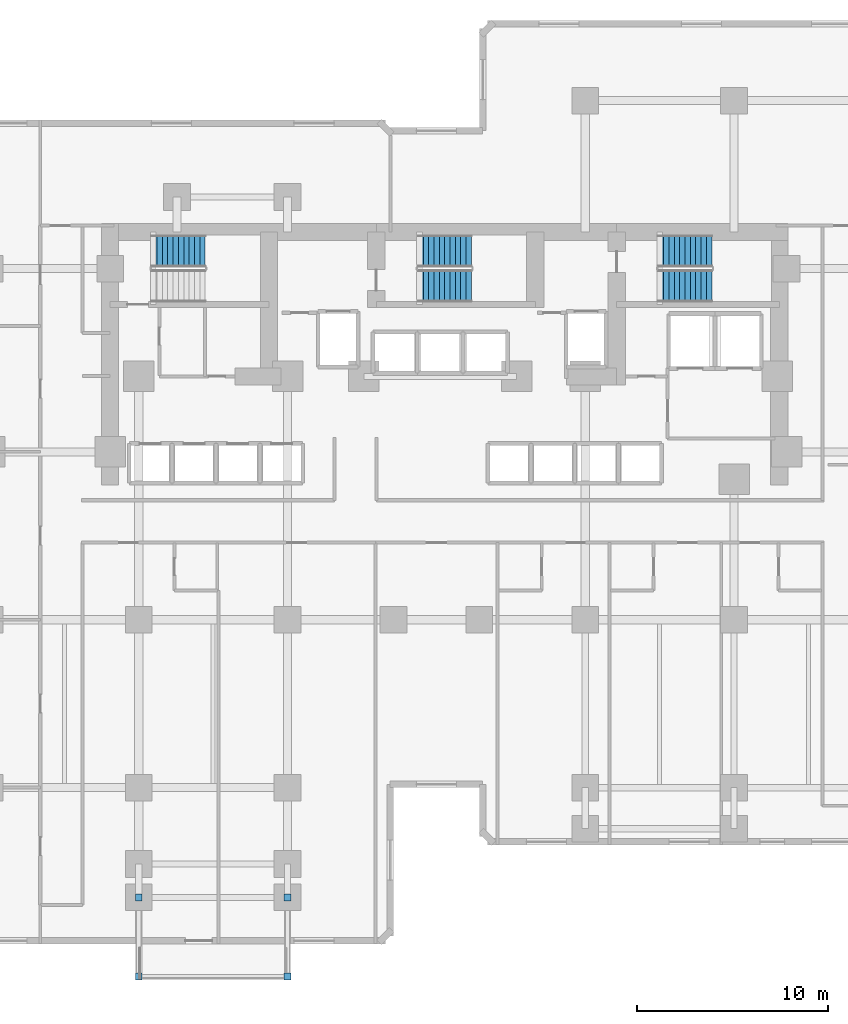
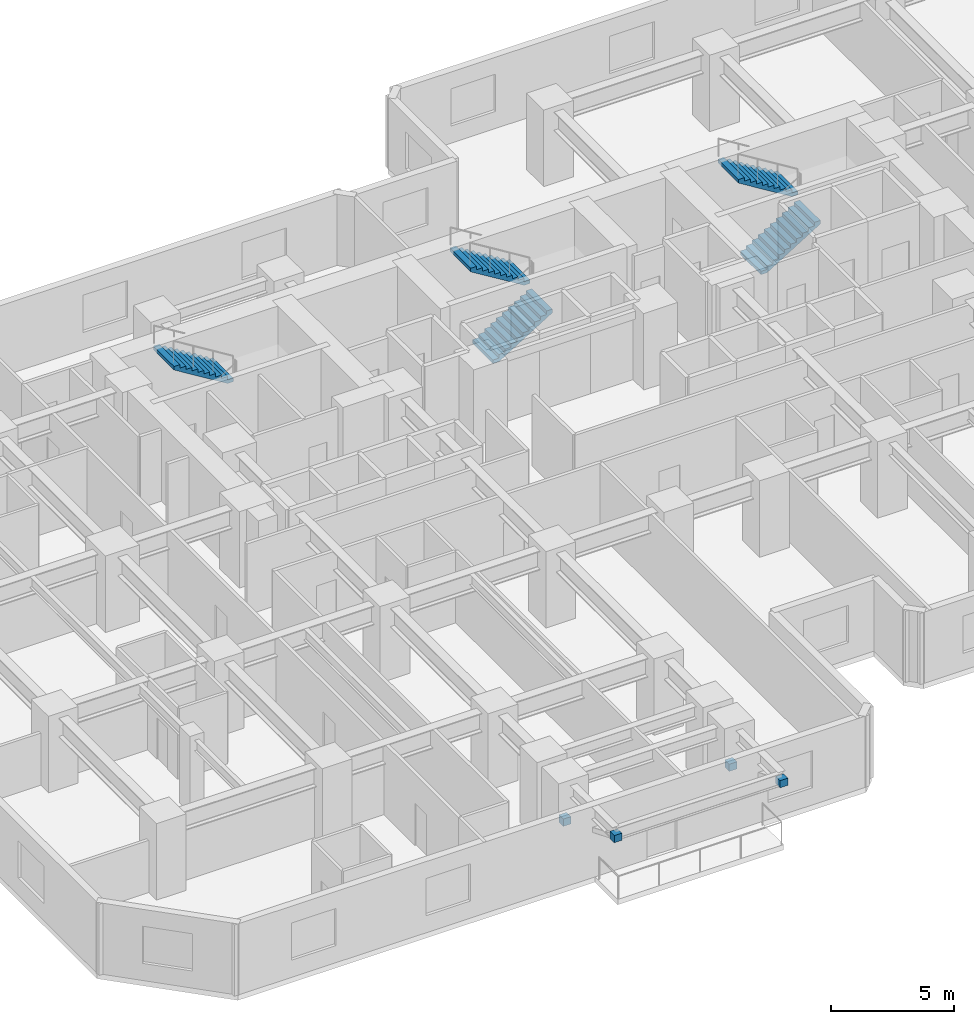
# One storey, part 10 of 12: 5 stair flights, 4 discrete accessories, 3 elements without a shape of their own.
"""IFC4 building model written with IfcOpenShell, lengths in metres."""

from ifc_helpers import new_model, si_unit, direction, frame, origin, origin_2d, place, context, subcontext, project, spatial, polyline, rectangle, outline, extrude, material, type_object, element, aggregate, save


model = new_model("IFC4")

# Units and contexts
model_context = context("Model", 3, precision=1e-05, world=origin(), true_north=direction((0.0, 1.0)))
body_context = subcontext(model_context, "Body", "Model", "MODEL_VIEW")
ifc_project = project(units=[si_unit("LENGTHUNIT", "METRE"), si_unit("AREAUNIT", "SQUARE_METRE"), si_unit("VOLUMEUNIT", "CUBIC_METRE"), si_unit("PLANEANGLEUNIT", "RADIAN"), si_unit("MASSUNIT", "GRAM", prefix="KILO")], contexts=[model_context])

# Site, building, storey
site_placement = place(None, origin())
site = spatial("IfcSite", under=ifc_project, at=site_placement, CompositionType="ELEMENT")
building_placement = place(site_placement, origin())
building = spatial("IfcBuilding", under=site, at=building_placement, Name="Kestravale Grand Hotel", CompositionType="ELEMENT")
storey_placement = place(building_placement, frame((0.0, 0.0, 52.60009765625)))
storey = spatial("IfcBuildingStorey", under=building, at=storey_placement, Name="L12", CompositionType="ELEMENT", Elevation=52.60009765625)

# Stair, stair flight
ifc_material_1 = material(Name="Concrete f'c 45 MPa", Category="concrete")
stair_type = type_object("IfcStairType", Name="ST-CORE-380", PredefinedType="HALF_TURN_STAIR", material=ifc_material_1)
stair_1_placement = place(storey_placement, origin())
stair_1 = element("IfcStair", 1, at=stair_1_placement, inside=storey, type_object=stair_type, Name="L12 ST-1", PredefinedType="HALF_TURN_STAIR")
ifc_material_2 = material(Name="Concrete f'c 45 MPa", Category="concrete")
stair_flight_type = type_object("IfcStairFlightType", Name="STF-CORE-380", PredefinedType="STRAIGHT", material=ifc_material_2)
stair_flight_1_placement = place(storey_placement, frame((26.8798828125, 39.320068359375, 1.89990234375), z_axis=(0.0, 0.0, 1.0), x_axis=(-1.0, 0.0, 0.0)))
stair_flight_1 = element("IfcStairFlight", 2, at=stair_flight_1_placement, type_object=stair_flight_type, Name="ST-1 flight 2", NumberOfRisers=11, NumberOfTreads=10, PredefinedType="STRAIGHT", RiserHeight=0.172727273, TreadLength=0.28, context=body_context, shape_type="SweptSolid", body=[
    extrude(outline(polyline([(0.0, 0.0), (0.0, 0.172607421875), (0.280029296875, 0.172607421875), (0.280029296875, 0.345458984375), (0.56005859375, 0.345458984375), (0.56005859375, 0.51806640625), (0.840087890625, 0.51806640625), (0.840087890625, 0.69091796875), (1.1201171875, 0.69091796875), (1.1201171875, 0.863525390625), (1.39990234375, 0.863525390625), (1.39990234375, 1.036376953125), (1.679931640625, 1.036376953125), (1.679931640625, 1.208984375), (1.9599609375, 1.208984375), (1.9599609375, 1.3818359375), (2.239990234375, 1.3818359375), (2.239990234375, 1.554443359375), (2.52001953125, 1.554443359375), (2.52001953125, 1.727294921875), (2.800048828125, 1.727294921875), (2.800048828125, 1.89990234375), (2.800048828125, 1.551025390625), (0.285400390625, 0.0), (0.0, 0.0)])), frame((0.0, 0.83984375, 0.0), z_axis=(0.0, -1.0, 0.0), x_axis=(1.0, 0.0, 0.0)), (0.0, 0.0, 1.0), 1.679931640625),
])
aggregate(stair_1, [stair_flight_1])

# Stair, stair flights
stair_2_placement = place(storey_placement, origin())
stair_2 = element("IfcStair", 3, at=stair_2_placement, inside=storey, type_object=stair_type, Name="L12 ST-2", PredefinedType="HALF_TURN_STAIR")
stair_flight_2_placement = place(storey_placement, frame((38.030029296875, 37.489990234375, 0.0), z_axis=(0.0, 0.0, 1.0), x_axis=(1.0, 0.0, 0.0)))
stair_flight_2 = element("IfcStairFlight", 4, at=stair_flight_2_placement, type_object=stair_flight_type, Name="ST-2 flight 1", NumberOfRisers=11, NumberOfTreads=10, PredefinedType="STRAIGHT", RiserHeight=0.172727273, TreadLength=0.28, context=body_context, shape_type="SweptSolid", body=[
    extrude(outline(polyline([(0.0, 0.0), (0.0, 0.172607421875), (0.280029296875, 0.172607421875), (0.280029296875, 0.345458984375), (0.56005859375, 0.345458984375), (0.56005859375, 0.51806640625), (0.840087890625, 0.51806640625), (0.840087890625, 0.69091796875), (1.1201171875, 0.69091796875), (1.1201171875, 0.863525390625), (1.39990234375, 0.863525390625), (1.39990234375, 1.036376953125), (1.679931640625, 1.036376953125), (1.679931640625, 1.208984375), (1.9599609375, 1.208984375), (1.9599609375, 1.3818359375), (2.239990234375, 1.3818359375), (2.239990234375, 1.554443359375), (2.52001953125, 1.554443359375), (2.52001953125, 1.727294921875), (2.800048828125, 1.727294921875), (2.800048828125, 1.89990234375), (2.800048828125, 1.551025390625), (0.285400390625, 0.0), (0.0, 0.0)])), frame((0.0, 0.83984375, 0.0), z_axis=(0.0, -1.0, 0.0), x_axis=(1.0, 0.0, 0.0)), (0.0, 0.0, 1.0), 1.679931640625),
])
stair_flight_3_placement = place(storey_placement, frame((40.830078125, 39.320068359375, 1.89990234375), z_axis=(0.0, 0.0, 1.0), x_axis=(-1.0, 0.0, 0.0)))
stair_flight_3 = element("IfcStairFlight", 5, at=stair_flight_3_placement, type_object=stair_flight_type, Name="ST-2 flight 2", NumberOfRisers=11, NumberOfTreads=10, PredefinedType="STRAIGHT", RiserHeight=0.172727273, TreadLength=0.28, context=body_context, shape_type="SweptSolid", body=[
    extrude(outline(polyline([(0.0, 0.0), (0.0, 0.172607421875), (0.280029296875, 0.172607421875), (0.280029296875, 0.345458984375), (0.56005859375, 0.345458984375), (0.56005859375, 0.51806640625), (0.840087890625, 0.51806640625), (0.840087890625, 0.69091796875), (1.1201171875, 0.69091796875), (1.1201171875, 0.863525390625), (1.39990234375, 0.863525390625), (1.39990234375, 1.036376953125), (1.679931640625, 1.036376953125), (1.679931640625, 1.208984375), (1.9599609375, 1.208984375), (1.9599609375, 1.3818359375), (2.239990234375, 1.3818359375), (2.239990234375, 1.554443359375), (2.52001953125, 1.554443359375), (2.52001953125, 1.727294921875), (2.800048828125, 1.727294921875), (2.800048828125, 1.89990234375), (2.800048828125, 1.551025390625), (0.285400390625, 0.0), (0.0, 0.0)])), frame((0.0, 0.83984375, 0.0), z_axis=(0.0, -1.0, 0.0), x_axis=(1.0, 0.0, 0.0)), (0.0, 0.0, 1.0), 1.679931640625),
])
aggregate(stair_2, [stair_flight_2, stair_flight_3])

stair_3_placement = place(storey_placement, origin())
stair_3 = element("IfcStair", 6, at=stair_3_placement, inside=storey, type_object=stair_type, Name="L12 ST-3", PredefinedType="HALF_TURN_STAIR")
stair_flight_4_placement = place(storey_placement, frame((50.6298828125, 37.489990234375, 0.0), z_axis=(0.0, 0.0, 1.0), x_axis=(1.0, 0.0, 0.0)))
stair_flight_4 = element("IfcStairFlight", 7, at=stair_flight_4_placement, type_object=stair_flight_type, Name="ST-3 flight 1", NumberOfRisers=11, NumberOfTreads=10, PredefinedType="STRAIGHT", RiserHeight=0.172727273, TreadLength=0.28, context=body_context, shape_type="SweptSolid", body=[
    extrude(outline(polyline([(0.0, 0.0), (0.0, 0.172607421875), (0.280029296875, 0.172607421875), (0.280029296875, 0.345458984375), (0.56005859375, 0.345458984375), (0.56005859375, 0.51806640625), (0.840087890625, 0.51806640625), (0.840087890625, 0.69091796875), (1.1201171875, 0.69091796875), (1.1201171875, 0.863525390625), (1.39990234375, 0.863525390625), (1.39990234375, 1.036376953125), (1.679931640625, 1.036376953125), (1.679931640625, 1.208984375), (1.9599609375, 1.208984375), (1.9599609375, 1.3818359375), (2.239990234375, 1.3818359375), (2.239990234375, 1.554443359375), (2.52001953125, 1.554443359375), (2.52001953125, 1.727294921875), (2.800048828125, 1.727294921875), (2.800048828125, 1.89990234375), (2.800048828125, 1.551025390625), (0.285400390625, 0.0), (0.0, 0.0)])), frame((0.0, 0.83984375, 0.0), z_axis=(0.0, -1.0, 0.0), x_axis=(1.0, 0.0, 0.0)), (0.0, 0.0, 1.0), 1.679931640625),
])
stair_flight_5_placement = place(storey_placement, frame((53.429931640625, 39.320068359375, 1.89990234375), z_axis=(0.0, 0.0, 1.0), x_axis=(-1.0, 0.0, 0.0)))
stair_flight_5 = element("IfcStairFlight", 8, at=stair_flight_5_placement, type_object=stair_flight_type, Name="ST-3 flight 2", NumberOfRisers=11, NumberOfTreads=10, PredefinedType="STRAIGHT", RiserHeight=0.172727273, TreadLength=0.28, context=body_context, shape_type="SweptSolid", body=[
    extrude(outline(polyline([(0.0, 0.0), (0.0, 0.172607421875), (0.280029296875, 0.172607421875), (0.280029296875, 0.345458984375), (0.56005859375, 0.345458984375), (0.56005859375, 0.51806640625), (0.840087890625, 0.51806640625), (0.840087890625, 0.69091796875), (1.1201171875, 0.69091796875), (1.1201171875, 0.863525390625), (1.39990234375, 0.863525390625), (1.39990234375, 1.036376953125), (1.679931640625, 1.036376953125), (1.679931640625, 1.208984375), (1.9599609375, 1.208984375), (1.9599609375, 1.3818359375), (2.239990234375, 1.3818359375), (2.239990234375, 1.554443359375), (2.52001953125, 1.554443359375), (2.52001953125, 1.727294921875), (2.800048828125, 1.727294921875), (2.800048828125, 1.89990234375), (2.800048828125, 1.551025390625), (0.285400390625, 0.0), (0.0, 0.0)])), frame((0.0, 0.83984375, 0.0), z_axis=(0.0, -1.0, 0.0), x_axis=(1.0, 0.0, 0.0)), (0.0, 0.0, 1.0), 1.679931640625),
])
aggregate(stair_3, [stair_flight_4, stair_flight_5])

# Discrete accessories
ifc_material_3 = material(Name="Steel ASTM A572 Grade 50 hot-dip galvanised bracket", Category="steel")
discrete_accessory_type = type_object("IfcDiscreteAccessoryType", Name="ACC-BRK-STL", PredefinedType="BRACKET", material=ifc_material_3)
for number, where, z_axis, x_axis, name in (
    (9, (23.39990234375, 5.449951171875, 1.19384765625), (0.0, 0.0, 1.0), (1.0, 0.0, 0.0), "L13 terrace strut column bracket 1"),
    (10, (23.39990234375, 1.300048828125, 2.89404296875), (0.0, 0.0, 1.0), (1.0, 0.0, 0.0), "L13 terrace strut beam bracket 1"),
    (11, (31.199951171875, 5.449951171875, 1.19384765625), (0.0, 0.0, 1.0), (1.0, 0.0, 0.0), "L13 terrace strut column bracket 2"),
    (12, (31.199951171875, 1.300048828125, 2.89404296875), (0.0, 0.0, 1.0), (1.0, 0.0, 0.0), "L13 terrace strut beam bracket 2"),
):
    element("IfcDiscreteAccessory", number, at=place(storey_placement, frame(where, z_axis=z_axis, x_axis=x_axis)), inside=storey, type_object=discrete_accessory_type, Name=name, PredefinedType="BRACKET", context=body_context, shape_type="SweptSolid", body=[
        extrude(rectangle(XDim=0.360107421875, YDim=0.360107421875, at=origin_2d()), origin(), (0.0, 0.0, 1.0), 0.360107421875),
    ])

save(model, "model.ifc")
